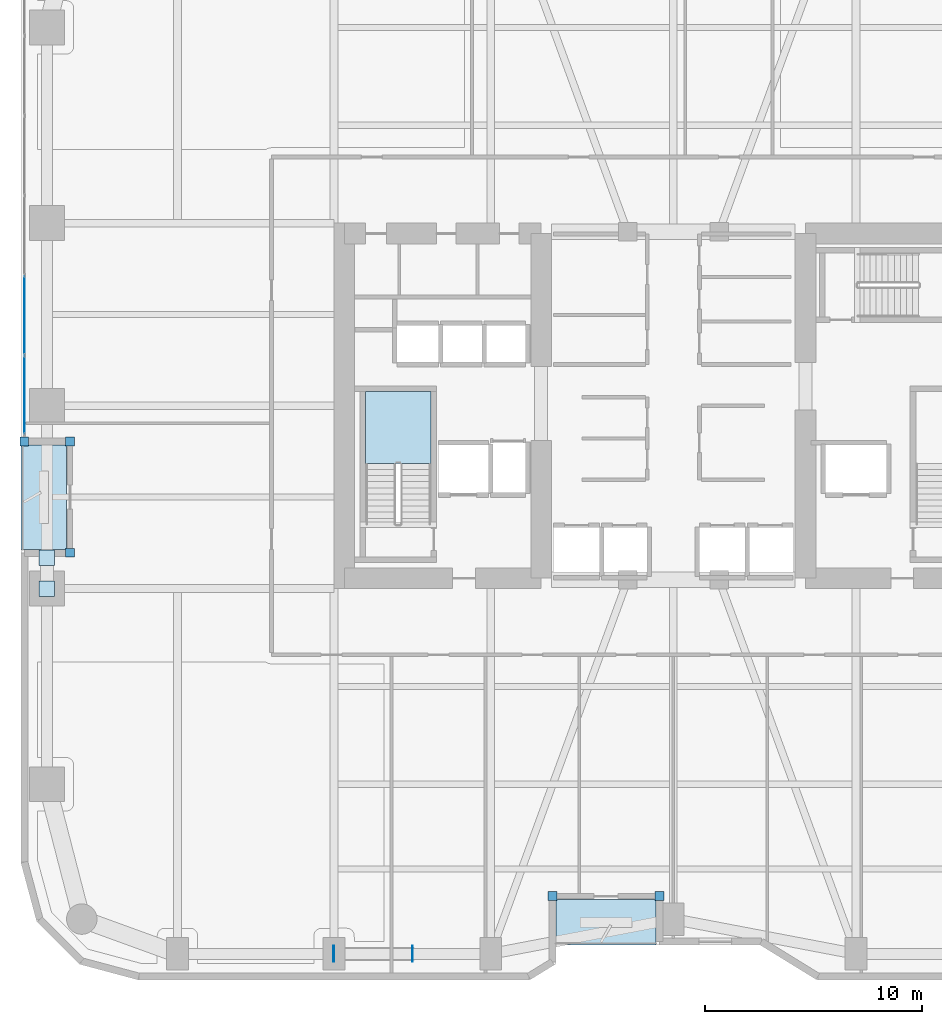
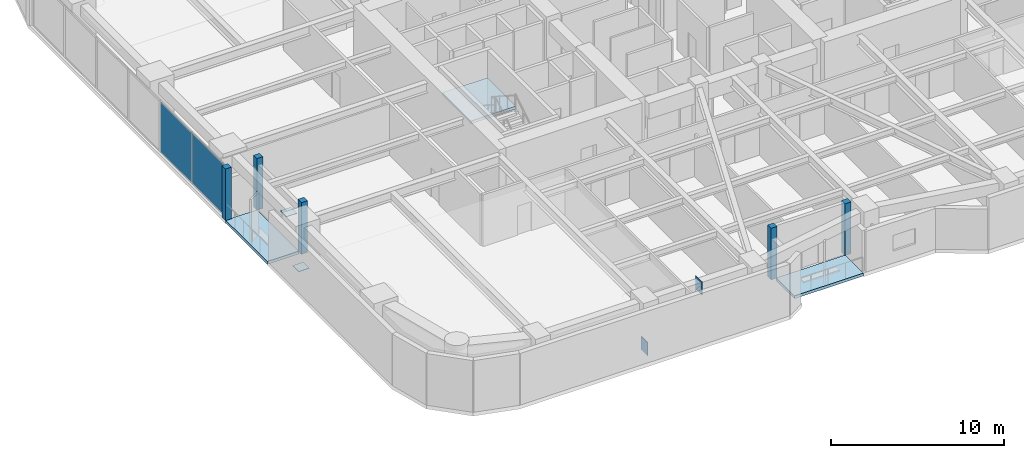
# One storey, part 19 of 28: 11 plates, 3 slabs, 2 elements without a shape of their own.
"""IFC4 building model written with IfcOpenShell, lengths in metres."""

from ifc_helpers import new_model, si_unit, direction, frame, origin, origin_2d, place, context, subcontext, project, spatial, polyline, rectangle, outline, extrude, material, layer, layer_set, type_object, element, aggregate, save


model = new_model("IFC4")

# Units and contexts
model_context = context("Model", 3, precision=1e-05, world=origin(), true_north=direction((0.0, 1.0)))
body_context = subcontext(model_context, "Body", "Model", "MODEL_VIEW")
ifc_project = project(units=[si_unit("LENGTHUNIT", "METRE"), si_unit("AREAUNIT", "SQUARE_METRE"), si_unit("VOLUMEUNIT", "CUBIC_METRE"), si_unit("PLANEANGLEUNIT", "RADIAN"), si_unit("MASSUNIT", "GRAM", prefix="KILO")], contexts=[model_context])

# Site, building, storey
site_placement = place(None, origin())
site = spatial("IfcSite", under=ifc_project, at=site_placement, CompositionType="ELEMENT")
building_placement = place(site_placement, origin())
building = spatial("IfcBuilding", under=site, at=building_placement, Name="Kiyonajd Concourse Tower", CompositionType="ELEMENT")
storey_placement = place(building_placement, frame((0.0, 0.0, 64.5)))
storey = spatial("IfcBuildingStorey", under=building, at=storey_placement, Name="L17", CompositionType="ELEMENT", Elevation=64.5)

# Plates
ifc_material_1 = material(Name="Steel ASTM A572 Grade 50", Category="steel")
ifc_layer_1 = layer(ifc_material_1, 0.028076171875)
ifc_layer_set_1 = layer_set([ifc_layer_1], Name="Steel ASTM A572 Grade 50")
plate_type_1 = type_object("IfcPlateType", Name="PL-CAP-450", PredefinedType="USERDEFINED", material=ifc_layer_set_1)
for number, where, z_axis, x_axis, name in (
    (1, (32.3916015625, 10.800048828125, -0.173583984375), (0.0, 0.0, 1.0), (-1.0, 0.0, 0.0), "L17 Hollow Brace End Cap Plate PBS"),
    (2, (36.008544921875, 10.800048828125, 2.83056640625), (0.0, 0.0, 1.0), (1.0, 0.0, 0.0), "L17 Hollow Brace Top Cap Plate PBS"),
):
    element("IfcPlate", number, at=place(storey_placement, frame(where, z_axis=z_axis, x_axis=x_axis)), inside=storey, type_object=plate_type_1, Name=name, ObjectType="CAP PLATE", PredefinedType="USERDEFINED", context=body_context, shape_type="SweptSolid", body=[
        extrude(rectangle(XDim=0.035888671875, YDim=0.72998046875, at=origin_2d()), origin(), (0.0, 0.0, 1.0), 0.93310546875),
    ])
for number, where, z_axis, x_axis, name in (
    (3, (19.199951171875, 27.59521484375, 0.27587890625), (0.0, 0.0, 1.0), (1.0, 0.0, 0.0), "L17 Hollow Brace End Cap Plate PBW"),
    (4, (19.199951171875, 29.004638671875, 3.2861328125), (0.0, 0.0, 1.0), (1.0, 0.0, 0.0), "L17 Hollow Brace Top Cap Plate PBW"),
):
    element("IfcPlate", number, at=place(storey_placement, frame(where, z_axis=z_axis, x_axis=x_axis)), inside=storey, type_object=plate_type_1, Name=name, ObjectType="CAP PLATE", PredefinedType="USERDEFINED", context=body_context, shape_type="SweptSolid", body=[
        extrude(rectangle(XDim=0.7099609375, YDim=0.7099609375, at=origin_2d()), origin(), (0.0, 0.0, 1.0), 0.028076171875),
    ])

# Curtain wall, plates
ifc_material_2 = material(Name="Thermally Broken Anodised Aluminium", Category="aluminium")
ifc_layer_2 = layer(ifc_material_2, 0.179931640625)
ifc_layer_set_2 = layer_set([ifc_layer_2], Name="Thermally Broken Anodised Aluminium")
curtain_wall_type = type_object("IfcCurtainWallType", Name="CW-SYS-02", PredefinedType="NOTDEFINED", material=ifc_layer_set_2)
curtain_wall_placement = place(storey_placement, origin())
curtain_wall = element("IfcCurtainWall", 5, at=curtain_wall_placement, inside=storey, type_object=curtain_wall_type, Name="L17 Unitised Curtain Wall CW2", PredefinedType="NOTDEFINED")
ifc_material_3 = material(Name="Double Low-E Insulated Glass", Category="glass")
ifc_layer_3 = layer(ifc_material_3, 0.028076171875)
ifc_layer_set_3 = layer_set([ifc_layer_3], Name="Double Low-E Insulated Glass")
plate_type_2 = type_object("IfcPlateType", Name="PL-CW-VIS28", PredefinedType="CURTAIN_PANEL", material=ifc_layer_set_3)
plate_1_placement = place(storey_placement, frame((18.159912109375, 36.5029296875, 0.06494140625), z_axis=(0.0, 0.0, 1.0), x_axis=(0.0, 1.0, 0.0)))
plate_1 = element("IfcPlate", 6, at=plate_1_placement, type_object=plate_type_2, Name="CW2 panel 1.1", PredefinedType="CURTAIN_PANEL", context=body_context, shape_type="SweptSolid", body=[
    extrude(rectangle(XDim=3.57568359375, YDim=0.028076171875, at=origin_2d()), origin(), (0.0, 0.0, 1.0), 3.510009765625),
])
plate_2_placement = place(storey_placement, frame((18.159912109375, 40.15966796875, 0.06494140625), z_axis=(0.0, 0.0, 1.0), x_axis=(0.0, 1.0, 0.0)))
plate_2 = element("IfcPlate", 7, at=plate_2_placement, type_object=plate_type_2, Name="CW2 panel 2.1", PredefinedType="CURTAIN_PANEL", context=body_context, shape_type="SweptSolid", body=[
    extrude(rectangle(XDim=3.608154296875, YDim=0.028076171875, at=origin_2d()), origin(), (0.0, 0.0, 1.0), 3.510009765625),
])
aggregate(curtain_wall, [plate_1, plate_2])

# Plates
ifc_layer_4 = layer(ifc_material_2, 0.39990234375)
ifc_layer_set_4 = layer_set([ifc_layer_4], Name="Thermally Broken Anodised Aluminium")
plate_type_3 = type_object("IfcPlateType", Name="PL-JMB-400", PredefinedType="USERDEFINED", material=ifc_layer_set_4)
for number, where, z_axis, x_axis, name in (
    (8, (20.260009765625, 29.239990234375, 0.0), (0.0, 0.0, 1.0), (1.0, 0.0, 0.0), "L17 Facade Jamb Closure Plate 01"),
    (9, (20.260009765625, 34.360107421875, 0.0), (0.0, 0.0, 1.0), (1.0, 0.0, 0.0), "L17 Facade Jamb Closure Plate 02"),
    (10, (18.159912109375, 34.360107421875, 0.0), (0.0, 0.0, 1.0), (1.0, 0.0, 0.0), "L17 Facade Jamb Closure Plate 03"),
    (11, (47.360107421875, 13.4599609375, 0.0), (0.0, 0.0, 1.0), (1.0, 0.0, 0.0), "L17 Facade Jamb Closure Plate 13"),
    (12, (42.43994140625, 13.4599609375, 0.0), (0.0, 0.0, 1.0), (1.0, 0.0, 0.0), "L17 Facade Jamb Closure Plate 14"),
):
    element("IfcPlate", number, at=place(storey_placement, frame(where, z_axis=z_axis, x_axis=x_axis)), inside=storey, type_object=plate_type_3, Name=name, ObjectType="JAMB PLATE", PredefinedType="USERDEFINED", context=body_context, shape_type="SweptSolid", body=[
        extrude(rectangle(XDim=0.39990234375, YDim=0.39990234375, at=origin_2d()), origin(), (0.0, 0.0, 1.0), 3.639892578125),
    ])

# Stair, slab
ifc_material_4 = material(Name="Concrete C40/50", Category="concrete")
stair_type = type_object("IfcStairType", Name="ST-DLG-22R", PredefinedType="HALF_TURN_STAIR", material=ifc_material_4)
stair_placement = place(storey_placement, origin())
stair = element("IfcStair", 13, at=stair_placement, inside=storey, type_object=stair_type, Name="L17 Protected Exit Stair ST1", PredefinedType="HALF_TURN_STAIR")
ifc_layer_5 = layer(ifc_material_4, 0.199951171875)
ifc_layer_set_5 = layer_set([ifc_layer_5], Name="Concrete C40/50")
slab_type_1 = type_object("IfcSlabType", Name="SL-LND-200", PredefinedType="LANDING", material=ifc_layer_set_5)
slab_1_placement = place(storey_placement, frame((0.0, 0.0, 1.75)))
slab_1 = element("IfcSlab", 14, at=slab_1_placement, type_object=slab_type_1, Name="ST1 landing 1", PredefinedType="LANDING", context=body_context, shape_type="SweptSolid", body=[
    extrude(outline(polyline([(36.85009765625, 33.35009765625), (36.85009765625, 36.64990234375), (33.85009765625, 36.64990234375), (33.85009765625, 33.35009765625), (36.85009765625, 33.35009765625)])), origin(), (0.0, 0.0, 1.0), 0.199951171875),
])
aggregate(stair, [slab_1])

# Slabs
ifc_material_5 = material(Name="Precast concrete C50/60", Category="concrete")
ifc_layer_6 = layer(ifc_material_5, 0.199951171875)
ifc_layer_set_6 = layer_set([ifc_layer_6], Name="Precast concrete C50/60")
slab_type_2 = type_object("IfcSlabType", Name="SL-LOG-200", PredefinedType="FLOOR", material=ifc_layer_set_6)
slab_2_placement = place(storey_placement, frame((0.0, 0.0, -0.199951171875)))
element("IfcSlab", 15, at=slab_2_placement, inside=storey, type_object=slab_type_2, Name="L17 Recessed Engawa Loggia Terrace Slab LOG-S", PredefinedType="FLOOR", context=body_context, shape_type="SweptSolid", body=[
    extrude(outline(polyline([(42.60009765625, 11.199951171875), (47.199951171875, 11.199951171875), (47.199951171875, 13.300048828125), (42.60009765625, 13.300048828125), (42.60009765625, 11.199951171875)])), origin(), (0.0, 0.0, 1.0), 0.199951171875),
])
slab_3_placement = place(storey_placement, frame((0.0, 0.0, -0.199951171875)))
element("IfcSlab", 16, at=slab_3_placement, inside=storey, type_object=slab_type_2, Name="L17 Recessed Engawa Loggia Terrace Slab LOG-W", PredefinedType="FLOOR", context=body_context, shape_type="SweptSolid", body=[
    extrude(outline(polyline([(18.0, 29.39990234375), (20.10009765625, 29.39990234375), (20.10009765625, 34.199951171875), (18.0, 34.199951171875), (18.0, 29.39990234375)])), origin(), (0.0, 0.0, 1.0), 0.199951171875),
])

save(model, "model.ifc")
